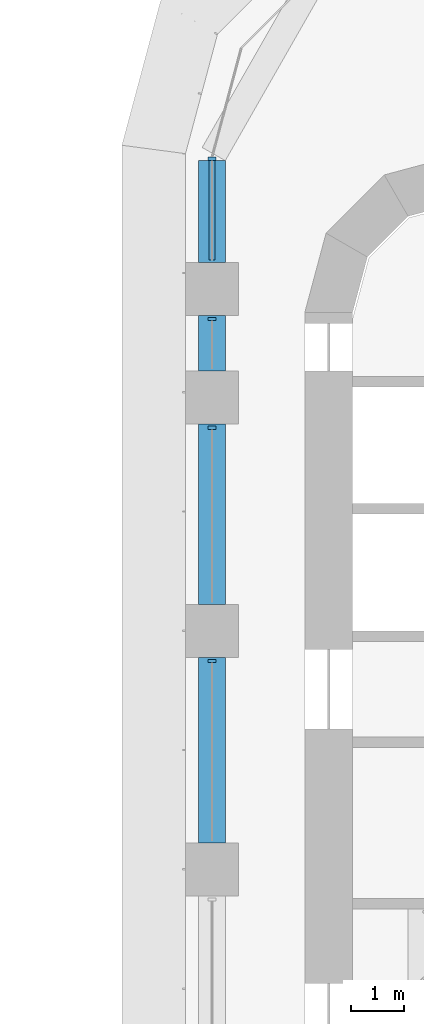
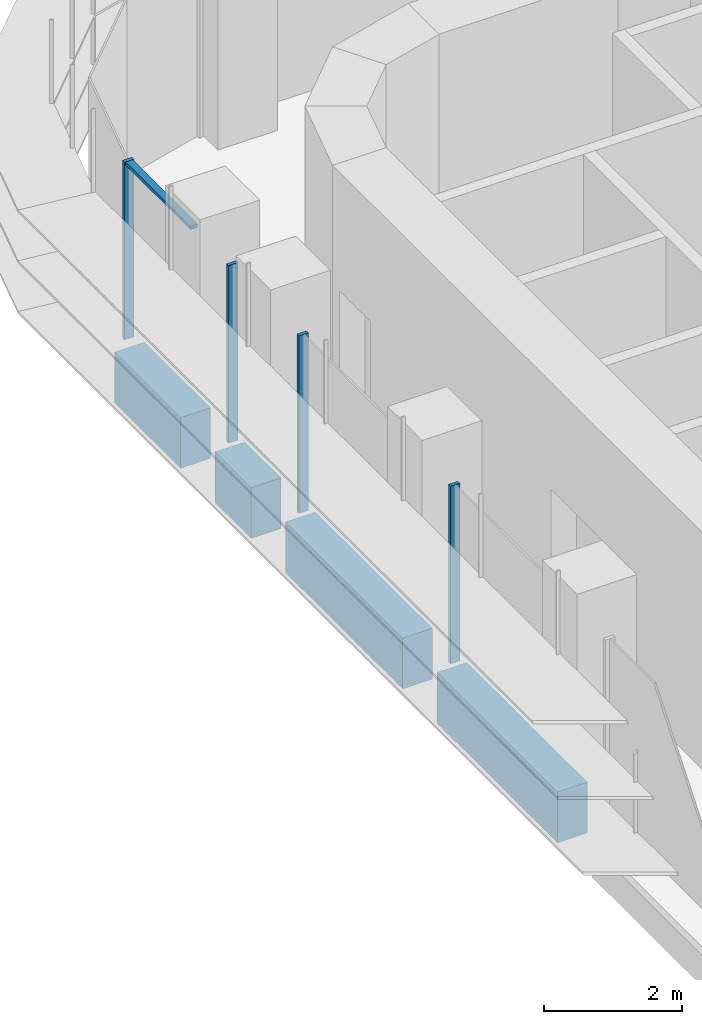
# One storey, part 7 of 23: 5 members, 4 beams, 1 element without a shape of its own.
"""IFC4 building model written with IfcOpenShell, lengths in metres."""

from ifc_helpers import new_model, si_unit, direction, frame, origin, origin_2d, place, context, subcontext, project, spatial, polyline, rectangle, outline, extrude, source, transform, mapped, material, material_profile, profile_set, type_object, element, aggregate, save


model = new_model("IFC4")

# Units and contexts
model_context = context("Model", 3, precision=1e-05, world=origin(), true_north=direction((0.0, 1.0)))
body_context = subcontext(model_context, "Body", "Model", "MODEL_VIEW")
ifc_project = project(units=[si_unit("LENGTHUNIT", "METRE"), si_unit("AREAUNIT", "SQUARE_METRE"), si_unit("VOLUMEUNIT", "CUBIC_METRE"), si_unit("PLANEANGLEUNIT", "RADIAN"), si_unit("MASSUNIT", "GRAM", prefix="KILO")], contexts=[model_context])

# Site, building, storey
site_placement = place(None, origin())
site = spatial("IfcSite", under=ifc_project, at=site_placement, CompositionType="ELEMENT")
building_placement = place(site_placement, origin())
building = spatial("IfcBuilding", under=site, at=building_placement, Name="Zarbagh Exchange Tower", CompositionType="ELEMENT")
storey_placement = place(building_placement, frame((0.0, 0.0, 43.800048828125)))
storey = spatial("IfcBuildingStorey", under=building, at=storey_placement, Name="L09", CompositionType="ELEMENT", Elevation=43.800048828125)

# Beams
ifc_material_1 = material(Name="Concrete C60/75", Category="concrete")
ifc_material_profile = material_profile(ifc_material_1, rectangle(XDim=0.5, YDim=0.89990234375, at=origin_2d()), Name="RC spandrel beam 500 x 900 C60/75")
ifc_profile_set = profile_set([ifc_material_profile], Name="Concrete C60/75")
beam_type = type_object("IfcBeamType", Name="RC spandrel beam 500 x 900 C60/75", PredefinedType="SPANDREL", material=ifc_profile_set)
beam_1_placement = place(storey_placement, frame((-6.25, 16.25, -0.60009765625), z_axis=(0.0, 1.0, 0.0), x_axis=(-1.0, 0.0, 0.0)))
element("IfcBeam", 1, at=beam_1_placement, inside=storey, type_object=beam_type, Name="RC spandrel beam", PredefinedType="SPANDREL", context=body_context, shape_type="SweptSolid", body=[
    extrude(rectangle(XDim=0.5, YDim=0.89990234375, at=origin_2d()), origin(), (0.0, 0.0, 1.0), 3.5),
])
beam_2_placement = place(storey_placement, frame((-6.25, 20.75, -0.60009765625), z_axis=(0.0, 1.0, 0.0), x_axis=(-1.0, 0.0, 0.0)))
element("IfcBeam", 2, at=beam_2_placement, inside=storey, type_object=beam_type, Name="RC spandrel beam", PredefinedType="SPANDREL", context=body_context, shape_type="SweptSolid", body=[
    extrude(rectangle(XDim=0.5, YDim=0.89990234375, at=origin_2d()), origin(), (0.0, 0.0, 1.0), 3.39990234375),
])
beam_3_placement = place(storey_placement, frame((-6.25, 25.14990234375, -0.60009765625), z_axis=(0.0, 1.0, 0.0), x_axis=(-1.0, 0.0, 0.0)))
element("IfcBeam", 3, at=beam_3_placement, inside=storey, type_object=beam_type, Name="RC spandrel beam", PredefinedType="SPANDREL", context=body_context, shape_type="SweptSolid", body=[
    extrude(rectangle(XDim=0.5, YDim=0.89990234375, at=origin_2d()), origin(), (0.0, 0.0, 1.0), 1.050048828125),
])
beam_4_placement = place(storey_placement, frame((-6.25, 27.199951171875, -0.60009765625), z_axis=(0.0, 1.0, 0.0), x_axis=(-1.0, 0.0, 0.0)))
element("IfcBeam", 4, at=beam_4_placement, inside=storey, type_object=beam_type, Name="RC spandrel beam", PredefinedType="SPANDREL", context=body_context, shape_type="SweptSolid", body=[
    extrude(rectangle(XDim=0.5, YDim=0.89990234375, at=origin_2d()), origin(), (0.0, 0.0, 1.0), 1.91796875),
])

# Curtain wall, members
ifc_material_2 = material(Name="Anodised aluminium frame and glazing", Category="aluminium")
curtain_wall_type = type_object("IfcCurtainWallType", Name="CWA Ribbon glazing, lower zones", PredefinedType="NOTDEFINED", material=ifc_material_2)
curtain_wall_placement = place(storey_placement, origin())
curtain_wall = element("IfcCurtainWall", 5, at=curtain_wall_placement, inside=storey, type_object=curtain_wall_type, Name="CWA28 curtain wall", PredefinedType="NOTDEFINED")
ifc_material_3 = material(Name="Anodised aluminium frame", Category="aluminium")
member_type_1 = type_object("IfcMemberType", Name="MUA Mullion, anodised aluminium frame", PredefinedType="MULLION", material=ifc_material_3)
shared_shape_1 = source(origin(), body_context, "Body", "SweptSolid", [
    extrude(outline(polyline([(0.0, -0.080078125), (0.06005859375, -0.080078125), (0.06005859375, 0.080078125), (0.0, 0.080078125), (0.0, -0.080078125)])), origin(), (0.0, 0.0, 1.0), 3.14990234375),
])
placement = place(storey_placement, origin())
member_1 = element("IfcMember", 6, at=placement, type_object=member_type_1, Name="CWA28 mullion 1.1", PredefinedType="MULLION", context=body_context, shape_type="MappedRepresentation", body=[
    mapped(shared_shape_1, transform((-6.25, 29.18408203125, 0.0), x_axis=(0.0, -1.0, 0.0), y_axis=(1.0, 0.0, 0.0), z_axis=(0.0, 0.0, 1.0))),
])
member_2 = element("IfcMember", 7, at=placement, type_object=member_type_1, Name="CWA28 mullion 2.1", PredefinedType="MULLION", context=body_context, shape_type="MappedRepresentation", body=[
    mapped(shared_shape_1, transform((-6.25, 26.159912109375, 0.0), x_axis=(0.0, -1.0, 0.0), y_axis=(1.0, 0.0, 0.0), z_axis=(0.0, 0.0, 1.0))),
])
member_3 = element("IfcMember", 8, at=placement, type_object=member_type_1, Name="CWA28 mullion 3.1", PredefinedType="MULLION", context=body_context, shape_type="MappedRepresentation", body=[
    mapped(shared_shape_1, transform((-6.25, 24.10986328125, 0.0), x_axis=(0.0, -1.0, 0.0), y_axis=(1.0, 0.0, 0.0), z_axis=(0.0, 0.0, 1.0))),
])
member_4 = element("IfcMember", 9, at=placement, type_object=member_type_1, Name="CWA28 mullion 4.1", PredefinedType="MULLION", context=body_context, shape_type="MappedRepresentation", body=[
    mapped(shared_shape_1, transform((-6.25, 19.7099609375, 0.0), x_axis=(0.0, -1.0, 0.0), y_axis=(1.0, 0.0, 0.0), z_axis=(0.0, 0.0, 1.0))),
])
member_type_2 = type_object("IfcMemberType", Name="TRA Transom, anodised aluminium frame", PredefinedType="USERDEFINED", material=ifc_material_3)
shared_shape_2 = source(origin(), body_context, "Body", "SweptSolid", [
    extrude(outline(polyline([(-0.06005859375, -0.06005859375), (0.0, -0.06005859375), (0.0, 0.06005859375), (-0.06005859375, 0.06005859375), (-0.06005859375, -0.06005859375)])), origin(), (0.0, 0.0, 1.0), 1.88427734375),
])
member_5 = element("IfcMember", 10, at=placement, type_object=member_type_2, Name="CWA28 transom 1.1", ObjectType="TRANSOM", PredefinedType="USERDEFINED", context=body_context, shape_type="MappedRepresentation", body=[
    mapped(shared_shape_2, transform((-6.25, 29.124267578125, 3.14990234375), x_axis=(0.0, 0.0, 1.0), y_axis=(-1.0, 0.0, 0.0), z_axis=(0.0, -1.0, 0.0))),
])
aggregate(curtain_wall, [member_1, member_5, member_2, member_3, member_4])

save(model, "model.ifc")
